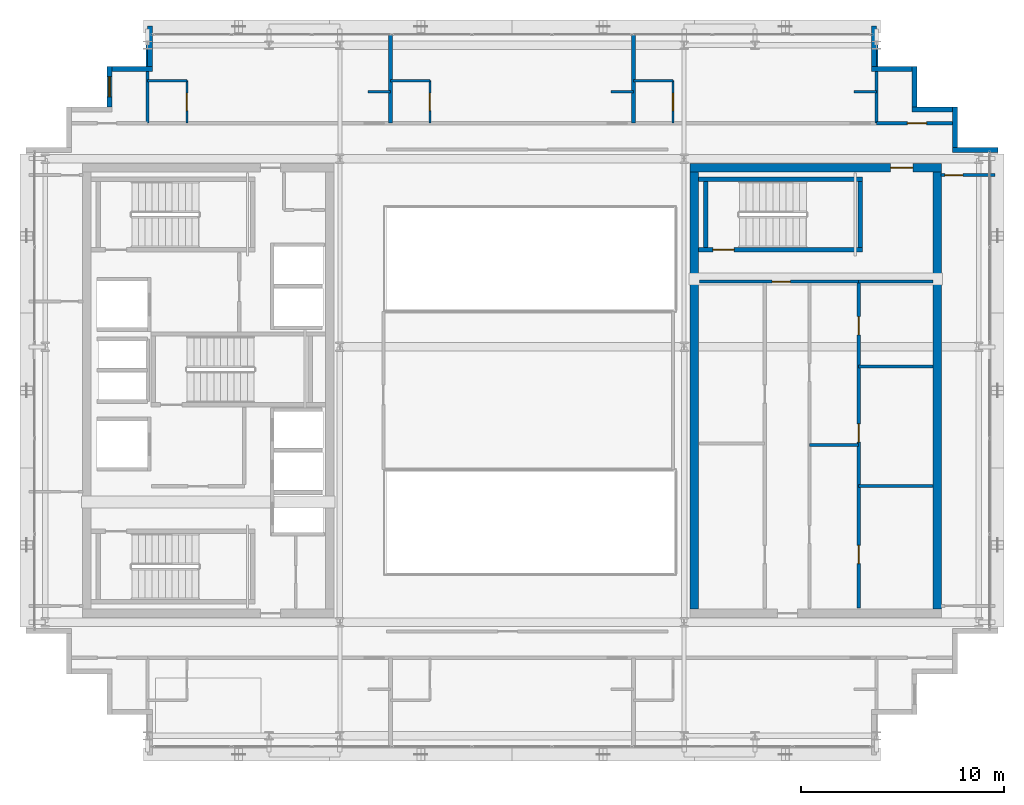
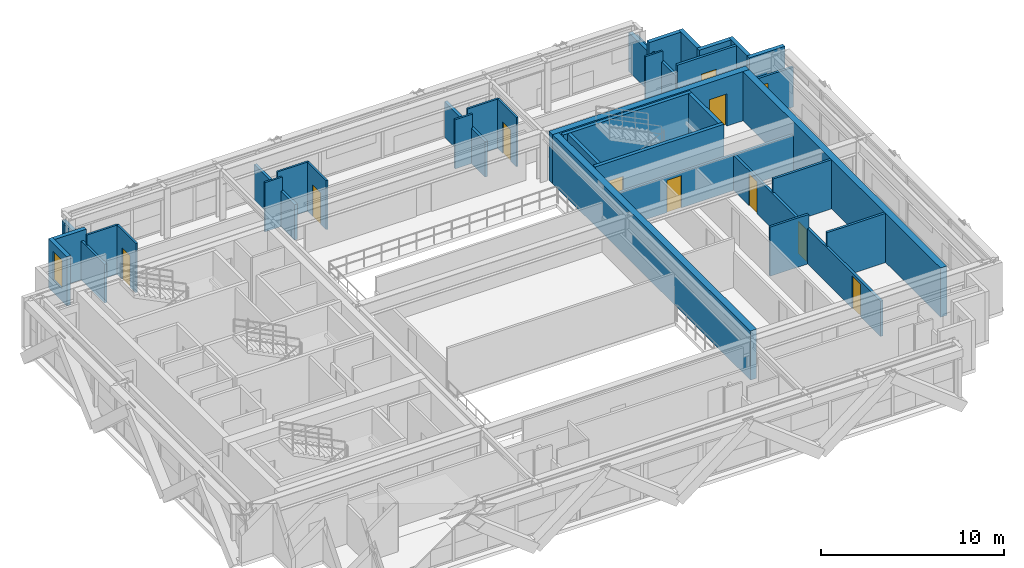
# One storey, part 23 of 28: 37 walls, 11 doors, 1 window, 12 openings.
"""IFC4 building model written with IfcOpenShell, lengths in metres."""

from ifc_helpers import new_model, si_unit, direction, frame, frame_2d, origin, place, context, subcontext, project, spatial, rectangle, extrude, source, transform, mapped, material, layer, layer_set, type_object, element, fill, save


model = new_model("IFC4")

# Units and contexts
model_context = context("Model", 3, precision=1e-05, world=origin(), true_north=direction((0.0, 1.0)))
body_context = subcontext(model_context, "Body", "Model", "MODEL_VIEW")
ifc_project = project(units=[si_unit("LENGTHUNIT", "METRE"), si_unit("AREAUNIT", "SQUARE_METRE"), si_unit("VOLUMEUNIT", "CUBIC_METRE"), si_unit("PLANEANGLEUNIT", "RADIAN"), si_unit("MASSUNIT", "GRAM", prefix="KILO")], contexts=[model_context])

# Site, building, storey
site_placement = place(None, origin())
site = spatial("IfcSite", under=ifc_project, at=site_placement, CompositionType="ELEMENT")
building_placement = place(site_placement, origin())
building = spatial("IfcBuilding", under=site, at=building_placement, Name="Ocotamira Hotel", CompositionType="ELEMENT")
storey_placement = place(building_placement, frame((0.0, 0.0, 243.60009765625)))
storey = spatial("IfcBuildingStorey", under=building, at=storey_placement, Name="L61", CompositionType="ELEMENT", Elevation=243.60009765625)

# Wall, opening, door
ifc_material_1 = material(Name="Concrete C50/60", Category="concrete")
ifc_layer_1 = layer(ifc_material_1, 0.39990234375)
ifc_layer_set_1 = layer_set([ifc_layer_1], Name="Concrete C50/60")
wall_type_1 = type_object("IfcWallType", Name="WL-CORE-400", PredefinedType="SHEAR", material=ifc_layer_set_1)
wall_1_placement = place(storey_placement, frame((40.800048828125, 37.0, 0.0), z_axis=(0.0, 0.0, 1.0), x_axis=(1.0, 0.0, 0.0)))
wall_1 = element("IfcWall", 1, at=wall_1_placement, inside=storey, type_object=wall_type_1, Name="L61 Shear Core Wall ECORE-N", PredefinedType="SHEAR", context=body_context, shape_type="SweptSolid", body=[
    extrude(rectangle(XDim=12.39990234375, YDim=0.39990234375, at=frame_2d((6.199951171875, 0.0))), origin(), (0.0, 0.0, 1.0), 3.27978515625),
])
opening_1_placement = place(wall_1_placement, frame((9.89990234375, 0.0, 0.0)))
opening_1 = element("IfcOpeningElement", 2, at=opening_1_placement, cuts=wall_1, Name="Opening D-FR1", PredefinedType="OPENING", context=body_context, shape_type="SweptSolid", body=[
    extrude(rectangle(XDim=1.10009765625, YDim=2.14990234375, at=frame_2d((0.550048828125, 1.074951171875))), frame((0.0, 0.2099609375, 0.0), z_axis=(0.0, -1.0, 0.0), x_axis=(1.0, 0.0, 0.0)), (0.0, 0.0, 1.0), 0.419921875),
])
ifc_material_2 = material(Name="Fire-rated acoustic timber-veneer door", Category="wood")
door_type_1 = type_object("IfcDoorType", Name="DR-FIRE-1100", OperationType="NOTDEFINED", PredefinedType="DOOR", material=ifc_material_2)
shared_shape_1 = source(origin(), body_context, "Body", "SweptSolid", [
    extrude(rectangle(XDim=1.10009765625, YDim=2.14990234375, at=frame_2d((0.550048828125, 1.074951171875))), frame((0.0, 0.02490234375, 0.0), z_axis=(0.0, -1.0, 0.0), x_axis=(1.0, 0.0, 0.0)), (0.0, 0.0, 1.0), 0.050048828125),
])
door_1_placement = place(opening_1_placement, origin())
door_1 = element("IfcDoor", 3, at=door_1_placement, inside=storey, type_object=door_type_1, Name="L61 Door ID-L61-ELOB-N-D [ID-L61-ELOB-N-D]", OperationType="SINGLE_SWING_LEFT", OverallHeight=2.14990234375, OverallWidth=1.10009765625, PredefinedType="DOOR", context=body_context, shape_type="MappedRepresentation", body=[
    mapped(shared_shape_1, transform((0.0, 0.0, 0.0), scale=1.0)),
])
fill(opening_1, door_1)

# Walls
for number, where, z_axis, x_axis, name in (
    (4, (41.0, 15.199951171875, 0.0), (0.0, 0.0, 1.0), (0.0, 1.0, 0.0), "L61 Shear Core Wall ECORE-W"),
    (5, (53.0, 15.199951171875, 0.0), (0.0, 0.0, 1.0), (0.0, 1.0, 0.0), "L61 Shear Core Wall ECORE-E"),
):
    element("IfcWall", number, at=place(storey_placement, frame(where, z_axis=z_axis, x_axis=x_axis)), inside=storey, type_object=wall_type_1, Name=name, PredefinedType="SHEAR", context=body_context, shape_type="SweptSolid", body=[
        extrude(rectangle(XDim=21.60009765625, YDim=0.39990234375, at=frame_2d((10.800048828125, 0.0))), origin(), (0.0, 0.0, 1.0), 3.27978515625),
    ])
ifc_material_3 = material(Name="Precast concrete C45/55", Category="concrete")
ifc_layer_2 = layer(ifc_material_3, 0.25)
ifc_layer_set_2 = layer_set([ifc_layer_2], Name="Precast concrete C45/55")
wall_type_2 = type_object("IfcWallType", Name="WL-EXT-SER-250", PredefinedType="SOLIDWALL", material=ifc_layer_set_2)
wall_2_placement = place(storey_placement, frame((56.0, 37.875, 0.0), z_axis=(0.0, 0.0, 1.0), x_axis=(-1.0, 0.0, 0.0)))
element("IfcWall", 6, at=wall_2_placement, inside=storey, type_object=wall_type_2, Name="L61 Serrated Corner Wall 07", PredefinedType="SOLIDWALL", context=body_context, shape_type="SweptSolid", body=[
    extrude(rectangle(XDim=2.25, YDim=0.25, at=frame_2d((1.125, 0.0))), origin(), (0.0, 0.0, 1.0), 3.27978515625),
])
for number, where, z_axis, x_axis, name in (
    (7, (53.875, 38.0, 0.0), (0.0, 0.0, 1.0), (0.0, 1.0, 0.0), "L61 Serrated Corner Wall 08"),
    (8, (53.75, 39.875, 0.0), (0.0, 0.0, 1.0), (-1.0, 0.0, 0.0), "L61 Serrated Corner Wall 09"),
    (9, (51.875, 40.0, 0.0), (0.0, 0.0, 1.0), (0.0, 1.0, 0.0), "L61 Serrated Corner Wall 10"),
    (10, (51.75, 41.875, 0.0), (0.0, 0.0, 1.0), (-1.0, 0.0, 0.0), "L61 Serrated Corner Wall 11"),
):
    element("IfcWall", number, at=place(storey_placement, frame(where, z_axis=z_axis, x_axis=x_axis)), inside=storey, type_object=wall_type_2, Name=name, PredefinedType="SOLIDWALL", context=body_context, shape_type="SweptSolid", body=[
        extrude(rectangle(XDim=2.0, YDim=0.25, at=frame_2d((1.0, 0.0))), origin(), (0.0, 0.0, 1.0), 3.27978515625),
    ])
for number, where, z_axis, x_axis, name in (
    (11, (49.875, 42.0, 0.0), (0.0, 0.0, 1.0), (0.0, 1.0, 0.0), "L61 Serrated Corner Wall 12"),
    (12, (14.125, 44.0, 0.0), (0.0, 0.0, 1.0), (0.0, -1.0, 0.0), "L61 Serrated Corner Wall 13"),
):
    element("IfcWall", number, at=place(storey_placement, frame(where, z_axis=z_axis, x_axis=x_axis)), inside=storey, type_object=wall_type_2, Name=name, PredefinedType="SOLIDWALL", context=body_context, shape_type="SweptSolid", body=[
        extrude(rectangle(XDim=2.0, YDim=0.25, at=frame_2d((1.0, 0.0))), origin(), (0.0, 0.0, 1.0), 2.5869140625),
    ])
wall_3_placement = place(storey_placement, frame((14.25, 41.875, 0.0), z_axis=(0.0, 0.0, 1.0), x_axis=(-1.0, 0.0, 0.0)))
element("IfcWall", 13, at=wall_3_placement, inside=storey, type_object=wall_type_2, Name="L61 Serrated Corner Wall 14", PredefinedType="SOLIDWALL", context=body_context, shape_type="SweptSolid", body=[
    extrude(rectangle(XDim=2.0, YDim=0.25, at=frame_2d((1.0, 0.0))), origin(), (0.0, 0.0, 1.0), 3.27978515625),
])

# Wall, opening, window
wall_4_placement = place(storey_placement, frame((12.125, 42.0, 0.0), z_axis=(0.0, 0.0, 1.0), x_axis=(0.0, -1.0, 0.0)))
wall_4 = element("IfcWall", 14, at=wall_4_placement, inside=storey, type_object=wall_type_2, Name="L61 Serrated Corner Wall 15", PredefinedType="SOLIDWALL", context=body_context, shape_type="SweptSolid", body=[
    extrude(rectangle(XDim=2.0, YDim=0.25, at=frame_2d((1.0, 0.0))), origin(), (0.0, 0.0, 1.0), 3.27978515625),
])
opening_2_placement = place(wall_4_placement, frame((0.5, 0.0, 0.85009765625)))
opening_2 = element("IfcOpeningElement", 15, at=opening_2_placement, cuts=wall_4, Name="Opening WN-2", PredefinedType="OPENING", context=body_context, shape_type="SweptSolid", body=[
    extrude(rectangle(XDim=1.0, YDim=1.89990234375, at=frame_2d((0.5, 0.949951171875))), frame((0.0, 0.135009765625, 0.0), z_axis=(0.0, -1.0, 0.0), x_axis=(1.0, 0.0, 0.0)), (0.0, 0.0, 1.0), 0.27001953125),
])
ifc_material_4 = material(Name="Double-silver low-E solar glass", Category="glass")
window_type = type_object("IfcWindowType", Name="WIN-SER-1100", PartitioningType="SINGLE_PANEL", PredefinedType="WINDOW", material=ifc_material_4)
shared_shape_2 = source(origin(), body_context, "Body", "SweptSolid", [
    extrude(rectangle(XDim=1.0, YDim=1.89990234375, at=frame_2d((0.5, 0.949951171875))), frame((0.0, 0.030029296875, 0.0), z_axis=(0.0, -1.0, 0.0), x_axis=(1.0, 0.0, 0.0)), (0.0, 0.0, 1.0), 0.06005859375),
])
window_placement = place(opening_2_placement, origin())
window = element("IfcWindow", 16, at=window_placement, inside=storey, type_object=window_type, Name="L61 Serrated Corner Window 15", OverallHeight=1.89990234375, OverallWidth=1.0, PartitioningType="SINGLE_PANEL", PredefinedType="WINDOW", context=body_context, shape_type="MappedRepresentation", body=[
    mapped(shared_shape_2, transform((0.0, 0.0, 0.0), scale=1.0)),
])
fill(opening_2, window)

# Wall
ifc_material_5 = material(Name="Acoustic double-layer fire gypsum board partition", Category="gypsum")
ifc_layer_3 = layer(ifc_material_5, 0.159912109375)
ifc_layer_set_3 = layer_set([ifc_layer_3], Name="Acoustic double-layer fire gypsum board partition")
wall_type_3 = type_object("IfcWallType", Name="WL-FIRE-160", PredefinedType="PARTITIONING", material=ifc_layer_set_3)
wall_5_placement = place(storey_placement, frame((49.1201171875, 31.3798828125, 0.0), z_axis=(0.0, 0.0, 1.0), x_axis=(1.0, 0.0, 0.0)))
element("IfcWall", 17, at=wall_5_placement, inside=storey, type_object=wall_type_3, Name="L61 Interior Wall PW-L61-EC-FLOW-N", PredefinedType="PARTITIONING", context=body_context, shape_type="SweptSolid", body=[
    extrude(rectangle(XDim=3.679931640625, YDim=0.159912109375, at=frame_2d((1.83984375, 0.0))), origin(), (0.0, 0.0, 1.0), 2.3798828125),
])

# Wall, openings, doors
wall_6_placement = place(storey_placement, frame((49.1201171875, 15.25, 0.0), z_axis=(0.0, 0.0, 1.0), x_axis=(0.0, 1.0, 0.0)))
wall_6 = element("IfcWall", 18, at=wall_6_placement, inside=storey, type_object=wall_type_3, Name="L61 Interior Wall PW-L61-EC-FLOW-W", PredefinedType="PARTITIONING", context=body_context, shape_type="SweptSolid", body=[
    extrude(rectangle(XDim=16.1298828125, YDim=0.159912109375, at=frame_2d((8.06494140625, 0.0))), origin(), (0.0, 0.0, 1.0), 2.35986328125),
])
opening_3_placement = place(wall_6_placement, frame((2.199951171875, 0.0, 0.0)))
opening_3 = element("IfcOpeningElement", 19, at=opening_3_placement, cuts=wall_6, Name="Opening D-IN3", PredefinedType="OPENING", context=body_context, shape_type="SweptSolid", body=[
    extrude(rectangle(XDim=0.89990234375, YDim=2.14990234375, at=frame_2d((0.449951171875, 1.074951171875))), frame((0.0, 0.08984375, 0.0), z_axis=(0.0, -1.0, 0.0), x_axis=(1.0, 0.0, 0.0)), (0.0, 0.0, 1.0), 0.179931640625),
])
opening_4_placement = place(wall_6_placement, frame((8.199951171875, 0.0, 0.0)))
opening_4 = element("IfcOpeningElement", 20, at=opening_4_placement, cuts=wall_6, Name="Opening D-IN3", PredefinedType="OPENING", context=body_context, shape_type="SweptSolid", body=[
    extrude(rectangle(XDim=0.89990234375, YDim=2.14990234375, at=frame_2d((0.449951171875, 1.074951171875))), frame((0.0, 0.08984375, 0.0), z_axis=(0.0, -1.0, 0.0), x_axis=(1.0, 0.0, 0.0)), (0.0, 0.0, 1.0), 0.179931640625),
])
opening_5_placement = place(wall_6_placement, frame((13.5, 0.0, 0.0)))
opening_5 = element("IfcOpeningElement", 21, at=opening_5_placement, cuts=wall_6, Name="Opening D-IN3", PredefinedType="OPENING", context=body_context, shape_type="SweptSolid", body=[
    extrude(rectangle(XDim=0.89990234375, YDim=2.14990234375, at=frame_2d((0.449951171875, 1.074951171875))), frame((0.0, 0.08984375, 0.0), z_axis=(0.0, -1.0, 0.0), x_axis=(1.0, 0.0, 0.0)), (0.0, 0.0, 1.0), 0.179931640625),
])
ifc_material_6 = material(Name="Painted service room door", Category="steel")
door_type_2 = type_object("IfcDoorType", Name="DR-INT-900", OperationType="NOTDEFINED", PredefinedType="DOOR", material=ifc_material_6)
shared_shape_3 = source(origin(), body_context, "Body", "SweptSolid", [
    extrude(rectangle(XDim=0.89990234375, YDim=2.14990234375, at=frame_2d((0.449951171875, 1.074951171875))), frame((0.0, 0.02490234375, 0.0), z_axis=(0.0, -1.0, 0.0), x_axis=(1.0, 0.0, 0.0)), (0.0, 0.0, 1.0), 0.050048828125),
])
door_2_placement = place(opening_3_placement, origin())
door_2 = element("IfcDoor", 22, at=door_2_placement, inside=storey, type_object=door_type_2, Name="L61 Door ID-L61-EC-FLOW-D1 [ID-L61-EC-FLOW-D1]", OperationType="SINGLE_SWING_LEFT", OverallHeight=2.14990234375, OverallWidth=0.89990234375, PredefinedType="DOOR", context=body_context, shape_type="MappedRepresentation", body=[
    mapped(shared_shape_3, transform((0.0, 0.0, 0.0), scale=1.0)),
])
fill(opening_3, door_2)
door_3_placement = place(opening_4_placement, origin())
door_3 = element("IfcDoor", 23, at=door_3_placement, inside=storey, type_object=door_type_2, Name="L61 Door ID-L61-EC-FLOW-D2 [ID-L61-EC-FLOW-D2]", OperationType="SINGLE_SWING_RIGHT", OverallHeight=2.14990234375, OverallWidth=0.89990234375, PredefinedType="DOOR", context=body_context, shape_type="MappedRepresentation", body=[
    mapped(shared_shape_3, transform((0.0, 0.0, 0.0), scale=1.0)),
])
fill(opening_4, door_3)
door_4_placement = place(opening_5_placement, origin())
door_4 = element("IfcDoor", 24, at=door_4_placement, inside=storey, type_object=door_type_2, Name="L61 Door ID-L61-EC-FLOW-D3 [ID-L61-EC-FLOW-D3]", OperationType="SINGLE_SWING_LEFT", OverallHeight=2.14990234375, OverallWidth=0.89990234375, PredefinedType="DOOR", context=body_context, shape_type="MappedRepresentation", body=[
    mapped(shared_shape_3, transform((0.0, 0.0, 0.0), scale=1.0)),
])
fill(opening_5, door_4)

# Wall, opening, door
wall_7_placement = place(storey_placement, frame((50.0, 39.199951171875, 0.0), z_axis=(0.0, 0.0, 1.0), x_axis=(1.0, 0.0, 0.0)))
wall_7 = element("IfcWall", 25, at=wall_7_placement, inside=storey, type_object=wall_type_3, Name="L61 Interior Wall PW-L61-Z4CNE-CW", PredefinedType="PARTITIONING", context=body_context, shape_type="SweptSolid", body=[
    extrude(rectangle(XDim=4.0, YDim=0.159912109375, at=frame_2d((2.0, 0.0))), origin(), (0.0, 0.0, 1.0), 3.27978515625),
])
opening_6_placement = place(wall_7_placement, frame((1.52001953125, 0.0, 0.0)))
opening_6 = element("IfcOpeningElement", 26, at=opening_6_placement, cuts=wall_7, Name="Opening D-SV4", PredefinedType="OPENING", context=body_context, shape_type="SweptSolid", body=[
    extrude(rectangle(XDim=0.9599609375, YDim=2.14990234375, at=frame_2d((0.47998046875, 1.074951171875))), frame((0.0, 0.08984375, 0.0), z_axis=(0.0, -1.0, 0.0), x_axis=(1.0, 0.0, 0.0)), (0.0, 0.0, 1.0), 0.179931640625),
])
ifc_material_7 = material(Name="Fire-rated accessible walnut salon door", Category="wood")
door_type_3 = type_object("IfcDoorType", Name="DR-SERV-960", OperationType="NOTDEFINED", PredefinedType="DOOR", material=ifc_material_7)
shared_shape_4 = source(origin(), body_context, "Body", "SweptSolid", [
    extrude(rectangle(XDim=0.9599609375, YDim=2.14990234375, at=frame_2d((0.47998046875, 1.074951171875))), frame((0.0, 0.02490234375, 0.0), z_axis=(0.0, -1.0, 0.0), x_axis=(1.0, 0.0, 0.0)), (0.0, 0.0, 1.0), 0.050048828125),
])
door_5_placement = place(opening_6_placement, origin())
door_5 = element("IfcDoor", 27, at=door_5_placement, inside=storey, type_object=door_type_3, Name="L61 Door ID-L61-Z4CNE-CD [ID-L61-Z4CNE-CD]", OperationType="SINGLE_SWING_LEFT", OverallHeight=2.14990234375, OverallWidth=0.9599609375, PredefinedType="DOOR", context=body_context, shape_type="MappedRepresentation", body=[
    mapped(shared_shape_4, transform((0.0, 0.0, 0.0), scale=1.0)),
])
fill(opening_6, door_5)

ifc_material_8 = material(Name="Moisture-resistant en-suite tile and gypsum partition", Category="gypsum")
ifc_layer_4 = layer(ifc_material_8, 0.1201171875)
ifc_layer_set_4 = layer_set([ifc_layer_4], Name="Moisture-resistant en-suite tile and gypsum partition")
wall_type_4 = type_object("IfcWallType", Name="WL-PART-120", PredefinedType="PARTITIONING", material=ifc_layer_set_4)
wall_8_placement = place(storey_placement, frame((15.949951171875, 39.199951171875, 0.0), z_axis=(0.0, 0.0, 1.0), x_axis=(0.0, 1.0, 0.0)))
wall_8 = element("IfcWall", 28, at=wall_8_placement, inside=storey, type_object=wall_type_4, Name="L61 Interior Wall PW-L61-Z4CN-BAE1", PredefinedType="PARTITIONING", context=body_context, shape_type="SweptSolid", body=[
    extrude(rectangle(XDim=2.10009765625, YDim=0.1201171875, at=frame_2d((1.050048828125, 0.0))), origin(), (0.0, 0.0, 1.0), 3.27978515625),
])
opening_7_placement = place(wall_8_placement, frame((0.6201171875, 0.0, 0.0)))
opening_7 = element("IfcOpeningElement", 29, at=opening_7_placement, cuts=wall_8, Name="Opening D-BA1", PredefinedType="OPENING", context=body_context, shape_type="SweptSolid", body=[
    extrude(rectangle(XDim=0.860107421875, YDim=2.10009765625, at=frame_2d((0.43017578125, 1.050048828125))), frame((0.0, 0.070068359375, 0.0), z_axis=(0.0, -1.0, 0.0), x_axis=(1.0, 0.0, 0.0)), (0.0, 0.0, 1.0), 0.14013671875),
])
ifc_material_9 = material(Name="Moisture-sealed en-suite timber door", Category="wood")
door_type_4 = type_object("IfcDoorType", Name="DR-BATH-860", OperationType="NOTDEFINED", PredefinedType="DOOR", material=ifc_material_9)
shared_shape_5 = source(origin(), body_context, "Body", "SweptSolid", [
    extrude(rectangle(XDim=0.860107421875, YDim=2.10009765625, at=frame_2d((0.43017578125, 1.050048828125))), frame((0.0, 0.02490234375, 0.0), z_axis=(0.0, -1.0, 0.0), x_axis=(1.0, 0.0, 0.0)), (0.0, 0.0, 1.0), 0.050048828125),
])
door_6_placement = place(opening_7_placement, origin())
door_6 = element("IfcDoor", 30, at=door_6_placement, inside=storey, type_object=door_type_4, Name="L61 Door ID-L61-Z4CN-BAD1 [ID-L61-Z4CN-BAD1]", OperationType="SINGLE_SWING_RIGHT", OverallHeight=2.10009765625, OverallWidth=0.860107421875, PredefinedType="DOOR", context=body_context, shape_type="MappedRepresentation", body=[
    mapped(shared_shape_5, transform((0.0, 0.0, 0.0), scale=1.0)),
])
fill(opening_7, door_6)

# Walls
wall_9_placement = place(storey_placement, frame((14.0, 41.300048828125, 0.0), z_axis=(0.0, 0.0, 1.0), x_axis=(1.0, 0.0, 0.0)))
element("IfcWall", 31, at=wall_9_placement, inside=storey, type_object=wall_type_4, Name="L61 Interior Wall PW-L61-Z4CN-BAN1", PredefinedType="PARTITIONING", context=body_context, shape_type="SweptSolid", body=[
    extrude(rectangle(XDim=1.949951171875, YDim=0.1201171875, at=frame_2d((0.97509765625, 0.0))), origin(), (0.0, 0.0, 1.0), 3.27978515625),
])
wall_10_placement = place(storey_placement, frame((24.89990234375, 40.75, 0.0), z_axis=(0.0, 0.0, 1.0), x_axis=(1.0, 0.0, 0.0)))
element("IfcWall", 32, at=wall_10_placement, inside=storey, type_object=wall_type_4, Name="L61 Interior Wall PW-L61-Z4CN-DRN1", PredefinedType="PARTITIONING", context=body_context, shape_type="SweptSolid", body=[
    extrude(rectangle(XDim=1.10009765625, YDim=0.1201171875, at=frame_2d((0.550048828125, 0.0))), origin(), (0.0, 0.0, 1.0), 3.27978515625),
])

# Wall, opening, door
wall_11_placement = place(storey_placement, frame((27.949951171875, 39.199951171875, 0.0), z_axis=(0.0, 0.0, 1.0), x_axis=(0.0, 1.0, 0.0)))
wall_11 = element("IfcWall", 33, at=wall_11_placement, inside=storey, type_object=wall_type_4, Name="L61 Interior Wall PW-L61-Z4CN-BAE2", PredefinedType="PARTITIONING", context=body_context, shape_type="SweptSolid", body=[
    extrude(rectangle(XDim=2.10009765625, YDim=0.1201171875, at=frame_2d((1.050048828125, 0.0))), origin(), (0.0, 0.0, 1.0), 3.27978515625),
])
opening_8_placement = place(wall_11_placement, frame((0.6201171875, 0.0, 0.0)))
opening_8 = element("IfcOpeningElement", 34, at=opening_8_placement, cuts=wall_11, Name="Opening D-BA1", PredefinedType="OPENING", context=body_context, shape_type="SweptSolid", body=[
    extrude(rectangle(XDim=0.860107421875, YDim=2.10009765625, at=frame_2d((0.43017578125, 1.050048828125))), frame((0.0, 0.070068359375, 0.0), z_axis=(0.0, -1.0, 0.0), x_axis=(1.0, 0.0, 0.0)), (0.0, 0.0, 1.0), 0.14013671875),
])
door_7_placement = place(opening_8_placement, origin())
door_7 = element("IfcDoor", 35, at=door_7_placement, inside=storey, type_object=door_type_4, Name="L61 Door ID-L61-Z4CN-BAD2 [ID-L61-Z4CN-BAD2]", OperationType="SINGLE_SWING_LEFT", OverallHeight=2.10009765625, OverallWidth=0.860107421875, PredefinedType="DOOR", context=body_context, shape_type="MappedRepresentation", body=[
    mapped(shared_shape_5, transform((0.0, 0.0, 0.0), scale=1.0)),
])
fill(opening_8, door_7)

# Walls
wall_12_placement = place(storey_placement, frame((26.0, 41.300048828125, 0.0), z_axis=(0.0, 0.0, 1.0), x_axis=(1.0, 0.0, 0.0)))
element("IfcWall", 36, at=wall_12_placement, inside=storey, type_object=wall_type_4, Name="L61 Interior Wall PW-L61-Z4CN-BAN2", PredefinedType="PARTITIONING", context=body_context, shape_type="SweptSolid", body=[
    extrude(rectangle(XDim=1.949951171875, YDim=0.1201171875, at=frame_2d((0.97509765625, 0.0))), origin(), (0.0, 0.0, 1.0), 3.27978515625),
])
wall_13_placement = place(storey_placement, frame((36.89990234375, 40.75, 0.0), z_axis=(0.0, 0.0, 1.0), x_axis=(1.0, 0.0, 0.0)))
element("IfcWall", 37, at=wall_13_placement, inside=storey, type_object=wall_type_4, Name="L61 Interior Wall PW-L61-Z4CN-DRN2", PredefinedType="PARTITIONING", context=body_context, shape_type="SweptSolid", body=[
    extrude(rectangle(XDim=1.10009765625, YDim=0.1201171875, at=frame_2d((0.550048828125, 0.0))), origin(), (0.0, 0.0, 1.0), 3.27978515625),
])

# Wall, opening, door
wall_14_placement = place(storey_placement, frame((39.949951171875, 39.199951171875, 0.0), z_axis=(0.0, 0.0, 1.0), x_axis=(0.0, 1.0, 0.0)))
wall_14 = element("IfcWall", 38, at=wall_14_placement, inside=storey, type_object=wall_type_4, Name="L61 Interior Wall PW-L61-Z4CN-BAE3", PredefinedType="PARTITIONING", context=body_context, shape_type="SweptSolid", body=[
    extrude(rectangle(XDim=2.10009765625, YDim=0.1201171875, at=frame_2d((1.050048828125, 0.0))), origin(), (0.0, 0.0, 1.0), 3.27978515625),
])
opening_9_placement = place(wall_14_placement, frame((0.6201171875, 0.0, 0.0)))
opening_9 = element("IfcOpeningElement", 39, at=opening_9_placement, cuts=wall_14, Name="Opening D-BA1", PredefinedType="OPENING", context=body_context, shape_type="SweptSolid", body=[
    extrude(rectangle(XDim=0.860107421875, YDim=2.10009765625, at=frame_2d((0.43017578125, 1.050048828125))), frame((0.0, 0.070068359375, 0.0), z_axis=(0.0, -1.0, 0.0), x_axis=(1.0, 0.0, 0.0)), (0.0, 0.0, 1.0), 0.14013671875),
])
door_8_placement = place(opening_9_placement, origin())
door_8 = element("IfcDoor", 40, at=door_8_placement, inside=storey, type_object=door_type_4, Name="L61 Door ID-L61-Z4CN-BAD3 [ID-L61-Z4CN-BAD3]", OperationType="SINGLE_SWING_RIGHT", OverallHeight=2.10009765625, OverallWidth=0.860107421875, PredefinedType="DOOR", context=body_context, shape_type="MappedRepresentation", body=[
    mapped(shared_shape_5, transform((0.0, 0.0, 0.0), scale=1.0)),
])
fill(opening_9, door_8)

# Walls
wall_15_placement = place(storey_placement, frame((38.0, 41.300048828125, 0.0), z_axis=(0.0, 0.0, 1.0), x_axis=(1.0, 0.0, 0.0)))
element("IfcWall", 41, at=wall_15_placement, inside=storey, type_object=wall_type_4, Name="L61 Interior Wall PW-L61-Z4CN-BAN3", PredefinedType="PARTITIONING", context=body_context, shape_type="SweptSolid", body=[
    extrude(rectangle(XDim=1.949951171875, YDim=0.1201171875, at=frame_2d((0.97509765625, 0.0))), origin(), (0.0, 0.0, 1.0), 3.27978515625),
])
wall_16_placement = place(storey_placement, frame((48.89990234375, 40.75, 0.0), z_axis=(0.0, 0.0, 1.0), x_axis=(1.0, 0.0, 0.0)))
element("IfcWall", 42, at=wall_16_placement, inside=storey, type_object=wall_type_4, Name="L61 Interior Wall PW-L61-Z4CN-DRN3", PredefinedType="PARTITIONING", context=body_context, shape_type="SweptSolid", body=[
    extrude(rectangle(XDim=1.10009765625, YDim=0.1201171875, at=frame_2d((0.550048828125, 0.0))), origin(), (0.0, 0.0, 1.0), 3.27978515625),
])
ifc_material_10 = material(Name="Acoustic hospitality gypsum board partition", Category="gypsum")
ifc_layer_5 = layer(ifc_material_10, 0.14208984375)
ifc_layer_set_5 = layer_set([ifc_layer_5], Name="Acoustic hospitality gypsum board partition")
wall_type_5 = type_object("IfcWallType", Name="WL-PART-142", PredefinedType="PARTITIONING", material=ifc_layer_set_5)
wall_17_placement = place(storey_placement, frame((46.679931640625, 23.300048828125, 0.0), z_axis=(0.0, 0.0, 1.0), x_axis=(1.0, 0.0, 0.0)))
element("IfcWall", 43, at=wall_17_placement, inside=storey, type_object=wall_type_5, Name="L61 Interior Wall PW-L61-EC-HDIV", PredefinedType="PARTITIONING", context=body_context, shape_type="SweptSolid", body=[
    extrude(rectangle(XDim=2.440185546875, YDim=0.14208984375, at=frame_2d((1.22021484375, 0.0))), origin(), (0.0, 0.0, 1.0), 3.27978515625),
])

# Wall, opening, door
ifc_layer_6 = layer(ifc_material_10, 0.14990234375)
ifc_layer_set_6 = layer_set([ifc_layer_6], Name="Acoustic hospitality gypsum board partition")
wall_type_6 = type_object("IfcWallType", Name="WL-PART-150", PredefinedType="PARTITIONING", material=ifc_layer_set_6)
wall_18_placement = place(storey_placement, frame((41.25, 31.3798828125, 0.0), z_axis=(0.0, 0.0, 1.0), x_axis=(1.0, 0.0, 0.0)))
wall_18 = element("IfcWall", 44, at=wall_18_placement, inside=storey, type_object=wall_type_6, Name="L61 Interior Wall PW-L61-EC-HMT-N", PredefinedType="PARTITIONING", context=body_context, shape_type="SweptSolid", body=[
    extrude(rectangle(XDim=7.8701171875, YDim=0.14990234375, at=frame_2d((3.93505859375, 0.0))), origin(), (0.0, 0.0, 1.0), 2.3798828125),
])
opening_10_placement = place(wall_18_placement, frame((3.60009765625, 0.0, 0.0)))
opening_10 = element("IfcOpeningElement", 45, at=opening_10_placement, cuts=wall_18, Name="Opening D-IN3", PredefinedType="OPENING", context=body_context, shape_type="SweptSolid", body=[
    extrude(rectangle(XDim=0.89990234375, YDim=2.14990234375, at=frame_2d((0.449951171875, 1.074951171875))), frame((0.0, 0.0849609375, 0.0), z_axis=(0.0, -1.0, 0.0), x_axis=(1.0, 0.0, 0.0)), (0.0, 0.0, 1.0), 0.169921875),
])
door_9_placement = place(opening_10_placement, origin())
door_9 = element("IfcDoor", 46, at=door_9_placement, inside=storey, type_object=door_type_2, Name="L61 Door ID-L61-EC-MGALD [ID-L61-EC-MGALD]", OperationType="SINGLE_SWING_LEFT", OverallHeight=2.14990234375, OverallWidth=0.89990234375, PredefinedType="DOOR", context=body_context, shape_type="MappedRepresentation", body=[
    mapped(shared_shape_3, transform((0.0, 0.0, 0.0), scale=1.0)),
])
fill(opening_10, door_9)

# Walls
for number, where, z_axis, x_axis, name in (
    (47, (49.1201171875, 21.2900390625, 0.0), (0.0, 0.0, 1.0), (1.0, 0.0, 0.0), "L61 Interior Wall PW-L61-EC-FDIV1"),
    (48, (49.1201171875, 27.18994140625, 0.0), (0.0, 0.0, 1.0), (1.0, 0.0, 0.0), "L61 Interior Wall PW-L61-EC-FDIV2"),
):
    element("IfcWall", number, at=place(storey_placement, frame(where, z_axis=z_axis, x_axis=x_axis)), inside=storey, type_object=wall_type_6, Name=name, PredefinedType="PARTITIONING", context=body_context, shape_type="SweptSolid", body=[
        extrude(rectangle(XDim=3.679931640625, YDim=0.14990234375, at=frame_2d((1.83984375, 0.0))), origin(), (0.0, 0.0, 1.0), 3.27978515625),
    ])

# Wall, opening, door
wall_19_placement = place(storey_placement, frame((53.179931640625, 36.639892578125, 0.0), z_axis=(0.0, 0.0, 1.0), x_axis=(1.0, 0.0, 0.0)))
wall_19 = element("IfcWall", 49, at=wall_19_placement, inside=storey, type_object=wall_type_6, Name="L61 Interior Wall PW-L61-Z4CE-WN", PredefinedType="PARTITIONING", context=body_context, shape_type="SweptSolid", body=[
    extrude(rectangle(XDim=2.66015625, YDim=0.14990234375, at=frame_2d((1.330078125, 0.0))), origin(), (0.0, 0.0, 1.0), 2.662841796875),
])
opening_11_placement = place(wall_19_placement, frame((0.199951171875, 0.0, 0.0)))
opening_11 = element("IfcOpeningElement", 50, at=opening_11_placement, cuts=wall_19, Name="Opening D-SV2", PredefinedType="OPENING", context=body_context, shape_type="SweptSolid", body=[
    extrude(rectangle(XDim=0.8798828125, YDim=2.14990234375, at=frame_2d((0.43994140625, 1.074951171875))), frame((0.0, 0.0849609375, 0.0), z_axis=(0.0, -1.0, 0.0), x_axis=(1.0, 0.0, 0.0)), (0.0, 0.0, 1.0), 0.169921875),
])
ifc_material_11 = material(Name="Fire-rated painted steel service door", Category="steel")
door_type_5 = type_object("IfcDoorType", Name="DR-SERV-880", OperationType="NOTDEFINED", PredefinedType="DOOR", material=ifc_material_11)
shared_shape_6 = source(origin(), body_context, "Body", "SweptSolid", [
    extrude(rectangle(XDim=0.8798828125, YDim=2.14990234375, at=frame_2d((0.43994140625, 1.074951171875))), frame((0.0, 0.02490234375, 0.0), z_axis=(0.0, -1.0, 0.0), x_axis=(1.0, 0.0, 0.0)), (0.0, 0.0, 1.0), 0.050048828125),
])
door_10_placement = place(opening_11_placement, origin())
door_10 = element("IfcDoor", 51, at=door_10_placement, inside=storey, type_object=door_type_5, Name="L61 Door ID-L61-Z4CE-DN [ID-L61-Z4CE-DN]", OperationType="SINGLE_SWING_LEFT", OverallHeight=2.14990234375, OverallWidth=0.8798828125, PredefinedType="DOOR", context=body_context, shape_type="MappedRepresentation", body=[
    mapped(shared_shape_6, transform((0.0, 0.0, 0.0), scale=1.0)),
])
fill(opening_11, door_10)

# Walls
ifc_material_12 = material(Name="Acoustic double-stud hospitality gypsum partition", Category="gypsum")
ifc_layer_7 = layer(ifc_material_12, 0.159912109375)
ifc_layer_set_7 = layer_set([ifc_layer_7], Name="Acoustic double-stud hospitality gypsum partition")
wall_type_7 = type_object("IfcWallType", Name="WL-PART-160", PredefinedType="PARTITIONING", material=ifc_layer_set_7)
for number, where, z_axis, x_axis, name in (
    (52, (14.0, 39.199951171875, 0.0), (0.0, 0.0, 1.0), (0.0, 1.0, 0.0), "L61 Interior Wall PW-L61-Z4CN-PW0"),
    (53, (50.0, 39.199951171875, 0.0), (0.0, 0.0, 1.0), (0.0, 1.0, 0.0), "L61 Interior Wall PW-L61-Z4CN-PWEND"),
):
    element("IfcWall", number, at=place(storey_placement, frame(where, z_axis=z_axis, x_axis=x_axis)), inside=storey, type_object=wall_type_7, Name=name, PredefinedType="PARTITIONING", context=body_context, shape_type="SweptSolid", body=[
        extrude(rectangle(XDim=4.43994140625, YDim=0.159912109375, at=frame_2d((2.219970703125, 0.0))), origin(), (0.0, 0.0, 1.0), 2.5869140625),
    ])
ifc_material_13 = material(Name="Double-stud suite party gypsum partition", Category="gypsum")
ifc_layer_8 = layer(ifc_material_13, 0.175048828125)
ifc_layer_set_8 = layer_set([ifc_layer_8], Name="Double-stud suite party gypsum partition")
wall_type_8 = type_object("IfcWallType", Name="WL-PART-175", PredefinedType="PARTITIONING", material=ifc_layer_set_8)
for number, where, z_axis, x_axis, name in (
    (54, (26.0, 39.199951171875, 0.0), (0.0, 0.0, 1.0), (0.0, 1.0, 0.0), "L61 Interior Wall PW-L61-Z4CN-PW1"),
    (55, (38.0, 39.199951171875, 0.0), (0.0, 0.0, 1.0), (0.0, 1.0, 0.0), "L61 Interior Wall PW-L61-Z4CN-PW2"),
):
    element("IfcWall", number, at=place(storey_placement, frame(where, z_axis=z_axis, x_axis=x_axis)), inside=storey, type_object=wall_type_8, Name=name, PredefinedType="PARTITIONING", context=body_context, shape_type="SweptSolid", body=[
        extrude(rectangle(XDim=4.43994140625, YDim=0.175048828125, at=frame_2d((2.219970703125, 0.0))), origin(), (0.0, 0.0, 1.0), 2.35986328125),
    ])

# Wall, opening, door
ifc_layer_9 = layer(ifc_material_1, 0.219970703125)
ifc_layer_set_9 = layer_set([ifc_layer_9], Name="Concrete C50/60")
wall_type_9 = type_object("IfcWallType", Name="WL-STAIR-220", PredefinedType="SHEAR", material=ifc_layer_set_9)
wall_20_placement = place(storey_placement, frame((41.199951171875, 32.93994140625, 0.0), z_axis=(0.0, 0.0, 1.0), x_axis=(1.0, 0.0, 0.0)))
wall_20 = element("IfcWall", 56, at=wall_20_placement, inside=storey, type_object=wall_type_9, Name="L61 Stair Shaft Structural Wall ST-4-S", PredefinedType="SHEAR", context=body_context, shape_type="SweptSolid", body=[
    extrude(rectangle(XDim=8.110107421875, YDim=0.219970703125, at=frame_2d((4.05517578125, 0.0))), origin(), (0.0, 0.0, 1.0), 3.39990234375),
])
opening_12_placement = place(wall_20_placement, frame((0.719970703125, 0.0, 0.0)))
opening_12 = element("IfcOpeningElement", 57, at=opening_12_placement, cuts=wall_20, Name="Opening D-ST2", PredefinedType="OPENING", context=body_context, shape_type="SweptSolid", body=[
    extrude(rectangle(XDim=1.050048828125, YDim=2.14990234375, at=frame_2d((0.52490234375, 1.074951171875))), frame((0.0, 0.1201171875, 0.0), z_axis=(0.0, -1.0, 0.0), x_axis=(1.0, 0.0, 0.0)), (0.0, 0.0, 1.0), 0.239990234375),
])
ifc_material_14 = material(Name="Insulated painted hollow-metal fire exit door", Category="steel")
door_type_6 = type_object("IfcDoorType", Name="DR-STAIR-1050", OperationType="NOTDEFINED", PredefinedType="DOOR", material=ifc_material_14)
shared_shape_7 = source(origin(), body_context, "Body", "SweptSolid", [
    extrude(rectangle(XDim=1.050048828125, YDim=2.14990234375, at=frame_2d((0.52490234375, 1.074951171875))), frame((0.0, 0.02490234375, 0.0), z_axis=(0.0, -1.0, 0.0), x_axis=(1.0, 0.0, 0.0)), (0.0, 0.0, 1.0), 0.050048828125),
])
door_11_placement = place(opening_12_placement, origin())
door_11 = element("IfcDoor", 58, at=door_11_placement, inside=storey, type_object=door_type_6, Name="L61 Door ID-L61-STD-ST-4 [ID-L61-STD-ST-4]", OperationType="SINGLE_SWING_LEFT", OverallHeight=2.14990234375, OverallWidth=1.050048828125, PredefinedType="DOOR", context=body_context, shape_type="MappedRepresentation", body=[
    mapped(shared_shape_7, transform((0.0, 0.0, 0.0), scale=1.0)),
])
fill(opening_12, door_11)

# Walls
wall_21_placement = place(storey_placement, frame((41.199951171875, 36.43994140625, 0.0), z_axis=(0.0, 0.0, 1.0), x_axis=(1.0, 0.0, 0.0)))
element("IfcWall", 59, at=wall_21_placement, inside=storey, type_object=wall_type_9, Name="L61 Stair Shaft Structural Wall ST-4-N", PredefinedType="SHEAR", context=body_context, shape_type="SweptSolid", body=[
    extrude(rectangle(XDim=8.110107421875, YDim=0.219970703125, at=frame_2d((4.05517578125, 0.0))), origin(), (0.0, 0.0, 1.0), 3.39990234375),
])
for number, where, z_axis, x_axis, name in (
    (60, (41.56005859375, 33.050048828125, 0.0), (0.0, 0.0, 1.0), (0.0, 1.0, 0.0), "L61 Stair Shaft Structural Wall ST-4-W"),
    (61, (49.199951171875, 33.050048828125, 0.0), (0.0, 0.0, 1.0), (0.0, 1.0, 0.0), "L61 Stair Shaft Structural Wall ST-4-E"),
):
    element("IfcWall", number, at=place(storey_placement, frame(where, z_axis=z_axis, x_axis=x_axis)), inside=storey, type_object=wall_type_9, Name=name, PredefinedType="SHEAR", context=body_context, shape_type="SweptSolid", body=[
        extrude(rectangle(XDim=3.280029296875, YDim=0.219970703125, at=frame_2d((1.64013671875, 0.0))), origin(), (0.0, 0.0, 1.0), 3.39990234375),
    ])

save(model, "model.ifc")
